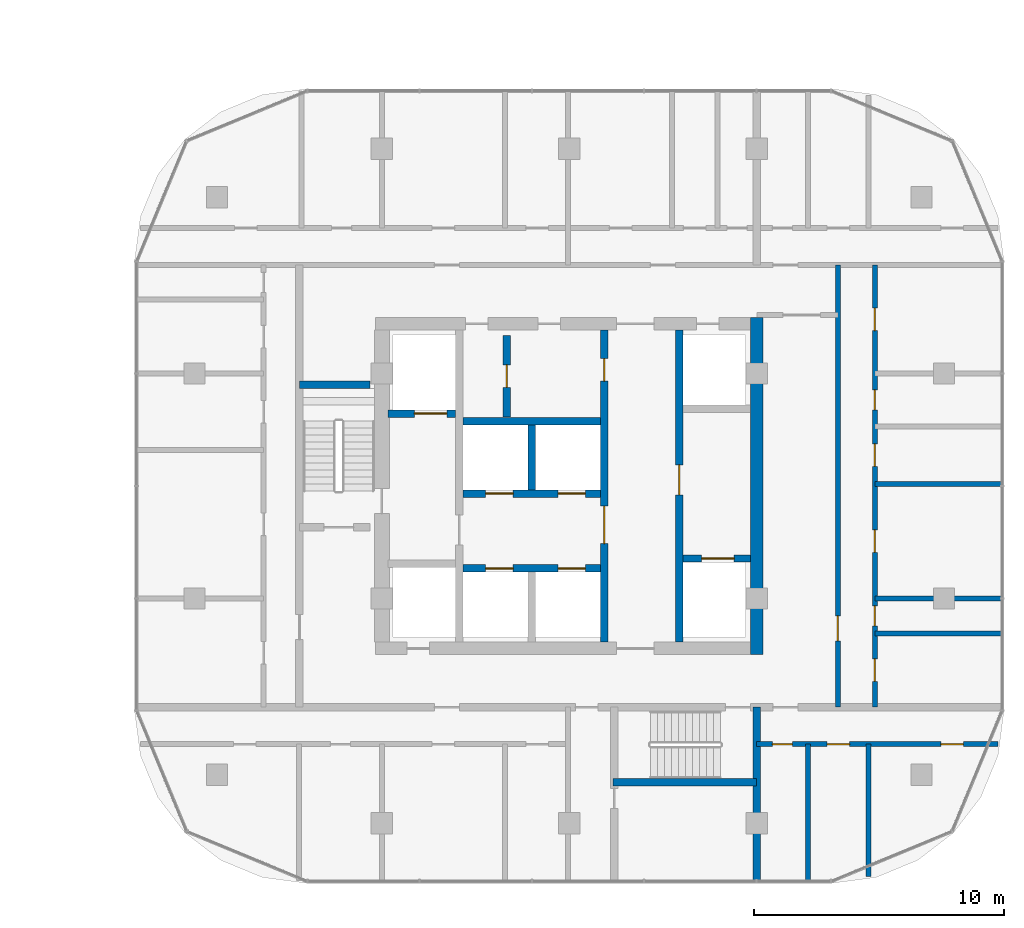
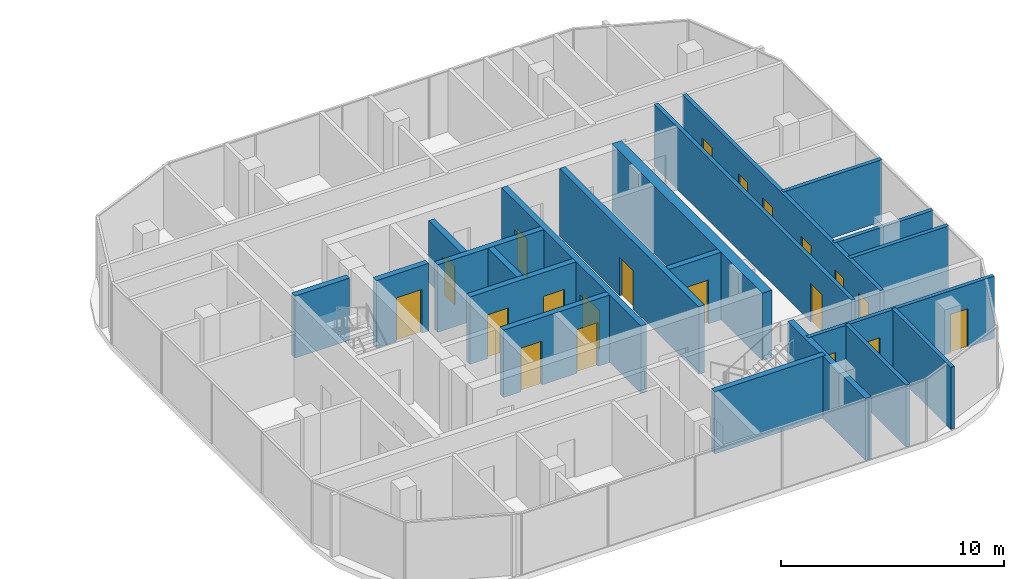
# One storey, part 23 of 34: 21 walls, 20 doors, 20 openings.
"""IFC4 building model written with IfcOpenShell, lengths in metres."""

from ifc_helpers import new_model, si_unit, direction, frame, frame_2d, origin, place, context, subcontext, project, spatial, rectangle, extrude, material, layer, layer_set, type_object, element, fill, save


model = new_model("IFC4")

# Units and contexts
model_context = context("Model", 3, precision=1e-05, world=origin(), true_north=direction((0.0, 1.0)))
body_context = subcontext(model_context, "Body", "Model", "MODEL_VIEW")
ifc_project = project(units=[si_unit("LENGTHUNIT", "METRE"), si_unit("AREAUNIT", "SQUARE_METRE"), si_unit("VOLUMEUNIT", "CUBIC_METRE"), si_unit("PLANEANGLEUNIT", "RADIAN"), si_unit("MASSUNIT", "GRAM", prefix="KILO")], contexts=[model_context])

# Site, building, storey
site_placement = place(None, origin())
site = spatial("IfcSite", under=ifc_project, at=site_placement, CompositionType="ELEMENT")
building_placement = place(site_placement, origin())
building = spatial("IfcBuilding", under=site, at=building_placement, Name="Ogive Portal Towers", CompositionType="ELEMENT")
storey_placement = place(building_placement, frame((0.0, 0.0, 66.800048828125)))
storey = spatial("IfcBuildingStorey", under=building, at=storey_placement, Name="L15", CompositionType="ELEMENT", Elevation=66.800048828125)

# Wall, openings, doors
ifc_material_1 = material(Name="Concrete C60/75", Category="concrete")
ifc_layer_1 = layer(ifc_material_1, 0.300048828125)
ifc_layer_set_1 = layer_set([ifc_layer_1], Name="CORE WALL 300 C60")
wall_type_1 = type_object("IfcWallType", Name="CORE WALL 300 C60", PredefinedType="SHEAR", material=ifc_layer_set_1)
wall_1_placement = place(storey_placement, frame((137.89990234375, 24.75, 0.0), z_axis=(0.0, 0.0, 1.0), x_axis=(0.0, 1.0, 0.0)))
wall_1 = element("IfcWall", 1, at=wall_1_placement, inside=storey, type_object=wall_type_1, Name="Tower B core wall BX2 L15", PredefinedType="SHEAR", context=body_context, shape_type="SweptSolid", body=[
    extrude(rectangle(XDim=12.5, YDim=0.300048828125, at=frame_2d((6.25, 0.0))), origin(), (0.0, 0.0, 1.0), 3.699951171875),
])
opening_1_placement = place(wall_1_placement, frame((3.949951171875, 0.0, 0.0)))
opening_1 = element("IfcOpeningElement", 2, at=opening_1_placement, cuts=wall_1, Name="Opening B04-042", PredefinedType="OPENING", context=body_context, shape_type="SweptSolid", body=[
    extrude(rectangle(XDim=1.5, YDim=2.10009765625, at=frame_2d((0.75, 1.050048828125))), frame((0.0, 0.16015625, 0.0), z_axis=(0.0, -1.0, 0.0), x_axis=(1.0, 0.0, 0.0)), (0.0, 0.0, 1.0), 0.320068359375),
])
opening_2_placement = place(wall_1_placement, frame((10.449951171875, 0.0, 0.0)))
opening_2 = element("IfcOpeningElement", 3, at=opening_2_placement, cuts=wall_1, Name="Opening B04-058", PredefinedType="OPENING", context=body_context, shape_type="SweptSolid", body=[
    extrude(rectangle(XDim=0.89990234375, YDim=2.10009765625, at=frame_2d((0.449951171875, 1.050048828125))), frame((0.0, 0.16015625, 0.0), z_axis=(0.0, -1.0, 0.0), x_axis=(1.0, 0.0, 0.0)), (0.0, 0.0, 1.0), 0.320068359375),
])
ifc_material_2 = material(Name="Steel fire door", Category="steel")
door_type_1 = type_object("IfcDoorType", Name="DT-SWING-1500x2100-FD90S", OperationType="SINGLE_SWING_LEFT", PredefinedType="DOOR", material=ifc_material_2)
door_1_placement = place(opening_1_placement, origin())
door_1 = element("IfcDoor", 4, at=door_1_placement, inside=storey, type_object=door_type_1, Name="Door B04-042", OperationType="SINGLE_SWING_RIGHT", OverallHeight=2.10009765625, OverallWidth=1.5, PredefinedType="DOOR", context=body_context, shape_type="SweptSolid", body=[
    extrude(rectangle(XDim=1.5, YDim=2.10009765625, at=frame_2d((0.75, 1.050048828125))), frame((0.0, 0.02490234375, 0.0), z_axis=(0.0, -1.0, 0.0), x_axis=(1.0, 0.0, 0.0)), (0.0, 0.0, 1.0), 0.050048828125),
])
fill(opening_1, door_1)
door_type_2 = type_object("IfcDoorType", Name="DT-SWING-900x2100-FD90S", OperationType="SINGLE_SWING_LEFT", PredefinedType="DOOR", material=ifc_material_2)
door_2_placement = place(opening_2_placement, origin())
door_2 = element("IfcDoor", 5, at=door_2_placement, inside=storey, type_object=door_type_2, Name="Door B04-058", OperationType="SINGLE_SWING_RIGHT", OverallHeight=2.10009765625, OverallWidth=0.89990234375, PredefinedType="DOOR", context=body_context, shape_type="SweptSolid", body=[
    extrude(rectangle(XDim=0.89990234375, YDim=2.10009765625, at=frame_2d((0.449951171875, 1.050048828125))), frame((0.0, 0.02490234375, 0.0), z_axis=(0.0, -1.0, 0.0), x_axis=(1.0, 0.0, 0.0)), (0.0, 0.0, 1.0), 0.050048828125),
])
fill(opening_2, door_2)

# Wall, opening, door
wall_2_placement = place(storey_placement, frame((140.89990234375, 24.75, 0.0), z_axis=(0.0, 0.0, 1.0), x_axis=(0.0, 1.0, 0.0)))
wall_2 = element("IfcWall", 6, at=wall_2_placement, inside=storey, type_object=wall_type_1, Name="Tower B core wall BX3 L15", PredefinedType="SHEAR", context=body_context, shape_type="SweptSolid", body=[
    extrude(rectangle(XDim=12.5, YDim=0.300048828125, at=frame_2d((6.25, 0.0))), origin(), (0.0, 0.0, 1.0), 3.699951171875),
])
opening_3_placement = place(wall_2_placement, frame((5.89990234375, 0.0, 0.0)))
opening_3 = element("IfcOpeningElement", 7, at=opening_3_placement, cuts=wall_2, Name="Opening B04-044", PredefinedType="OPENING", context=body_context, shape_type="SweptSolid", body=[
    extrude(rectangle(XDim=1.199951171875, YDim=2.10009765625, at=frame_2d((0.60009765625, 1.050048828125))), frame((0.0, 0.16015625, 0.0), z_axis=(0.0, -1.0, 0.0), x_axis=(1.0, 0.0, 0.0)), (0.0, 0.0, 1.0), 0.320068359375),
])
door_type_3 = type_object("IfcDoorType", Name="DT-SWING-1200x2100-FD90S", OperationType="SINGLE_SWING_LEFT", PredefinedType="DOOR", material=ifc_material_2)
door_3_placement = place(opening_3_placement, origin())
door_3 = element("IfcDoor", 8, at=door_3_placement, inside=storey, type_object=door_type_3, Name="Door B04-044", OperationType="SINGLE_SWING_RIGHT", OverallHeight=2.10009765625, OverallWidth=1.199951171875, PredefinedType="DOOR", context=body_context, shape_type="SweptSolid", body=[
    extrude(rectangle(XDim=1.199951171875, YDim=2.10009765625, at=frame_2d((0.60009765625, 1.050048828125))), frame((0.0, 0.02490234375, 0.0), z_axis=(0.0, -1.0, 0.0), x_axis=(1.0, 0.0, 0.0)), (0.0, 0.0, 1.0), 0.050048828125),
])
fill(opening_3, door_3)

# Wall
wall_3_placement = place(storey_placement, frame((135.0, 30.85009765625, 0.0), z_axis=(0.0, 0.0, 1.0), x_axis=(0.0, 1.0, 0.0)))
element("IfcWall", 9, at=wall_3_placement, inside=storey, type_object=wall_type_1, Name="Tower B core wall BX5 L15", PredefinedType="SHEAR", context=body_context, shape_type="SweptSolid", body=[
    extrude(rectangle(XDim=2.599853515625, YDim=0.300048828125, at=frame_2d((1.2998046875, 0.0))), origin(), (0.0, 0.0, 1.0), 3.699951171875),
])

# Wall, openings, doors
wall_4_placement = place(storey_placement, frame((132.25, 27.699951171875, 0.0), z_axis=(0.0, 0.0, 1.0), x_axis=(1.0, 0.0, 0.0)))
wall_4 = element("IfcWall", 10, at=wall_4_placement, inside=storey, type_object=wall_type_1, Name="Tower B core wall BY1 L15", PredefinedType="SHEAR", context=body_context, shape_type="SweptSolid", body=[
    extrude(rectangle(XDim=5.5, YDim=0.300048828125, at=frame_2d((2.75, 0.0))), origin(), (0.0, 0.0, 1.0), 3.699951171875),
])
opening_4_placement = place(wall_4_placement, frame((0.89990234375, 0.0, 0.0)))
opening_4 = element("IfcOpeningElement", 11, at=opening_4_placement, cuts=wall_4, Name="Opening B04-050", PredefinedType="OPENING", context=body_context, shape_type="SweptSolid", body=[
    extrude(rectangle(XDim=1.10009765625, YDim=2.39990234375, at=frame_2d((0.550048828125, 1.199951171875))), frame((0.0, 0.16015625, 0.0), z_axis=(0.0, -1.0, 0.0), x_axis=(1.0, 0.0, 0.0)), (0.0, 0.0, 1.0), 0.320068359375),
])
opening_5_placement = place(wall_4_placement, frame((3.800048828125, 0.0, 0.0)))
opening_5 = element("IfcOpeningElement", 12, at=opening_5_placement, cuts=wall_4, Name="Opening B04-051", PredefinedType="OPENING", context=body_context, shape_type="SweptSolid", body=[
    extrude(rectangle(XDim=1.10009765625, YDim=2.39990234375, at=frame_2d((0.550048828125, 1.199951171875))), frame((0.0, 0.16015625, 0.0), z_axis=(0.0, -1.0, 0.0), x_axis=(1.0, 0.0, 0.0)), (0.0, 0.0, 1.0), 0.320068359375),
])
ifc_material_3 = material(Name="Stainless steel", Category="steel")
door_type_4 = type_object("IfcDoorType", Name="DT-LD-1100x2400", OperationType="SLIDING_TO_LEFT", PredefinedType="DOOR", material=ifc_material_3)
door_4_placement = place(opening_4_placement, origin())
door_4 = element("IfcDoor", 13, at=door_4_placement, inside=storey, type_object=door_type_4, Name="Door B04-050", OperationType="SLIDING_TO_LEFT", OverallHeight=2.39990234375, OverallWidth=1.10009765625, PredefinedType="DOOR", context=body_context, shape_type="SweptSolid", body=[
    extrude(rectangle(XDim=1.10009765625, YDim=2.39990234375, at=frame_2d((0.550048828125, 1.199951171875))), frame((0.0, 0.02490234375, 0.0), z_axis=(0.0, -1.0, 0.0), x_axis=(1.0, 0.0, 0.0)), (0.0, 0.0, 1.0), 0.050048828125),
])
fill(opening_4, door_4)
door_5_placement = place(opening_5_placement, origin())
door_5 = element("IfcDoor", 14, at=door_5_placement, inside=storey, type_object=door_type_4, Name="Door B04-051", OperationType="SLIDING_TO_LEFT", OverallHeight=2.39990234375, OverallWidth=1.10009765625, PredefinedType="DOOR", context=body_context, shape_type="SweptSolid", body=[
    extrude(rectangle(XDim=1.10009765625, YDim=2.39990234375, at=frame_2d((0.550048828125, 1.199951171875))), frame((0.0, 0.02490234375, 0.0), z_axis=(0.0, -1.0, 0.0), x_axis=(1.0, 0.0, 0.0)), (0.0, 0.0, 1.0), 0.050048828125),
])
fill(opening_5, door_5)

wall_5_placement = place(storey_placement, frame((132.25, 30.699951171875, 0.0), z_axis=(0.0, 0.0, 1.0), x_axis=(1.0, 0.0, 0.0)))
wall_5 = element("IfcWall", 15, at=wall_5_placement, inside=storey, type_object=wall_type_1, Name="Tower B core wall BY2 L15", PredefinedType="SHEAR", context=body_context, shape_type="SweptSolid", body=[
    extrude(rectangle(XDim=5.5, YDim=0.300048828125, at=frame_2d((2.75, 0.0))), origin(), (0.0, 0.0, 1.0), 3.699951171875),
])
opening_6_placement = place(wall_5_placement, frame((0.89990234375, 0.0, 0.0)))
opening_6 = element("IfcOpeningElement", 16, at=opening_6_placement, cuts=wall_5, Name="Opening B04-052", PredefinedType="OPENING", context=body_context, shape_type="SweptSolid", body=[
    extrude(rectangle(XDim=1.10009765625, YDim=2.39990234375, at=frame_2d((0.550048828125, 1.199951171875))), frame((0.0, 0.16015625, 0.0), z_axis=(0.0, -1.0, 0.0), x_axis=(1.0, 0.0, 0.0)), (0.0, 0.0, 1.0), 0.320068359375),
])
opening_7_placement = place(wall_5_placement, frame((3.800048828125, 0.0, 0.0)))
opening_7 = element("IfcOpeningElement", 17, at=opening_7_placement, cuts=wall_5, Name="Opening B04-053", PredefinedType="OPENING", context=body_context, shape_type="SweptSolid", body=[
    extrude(rectangle(XDim=1.10009765625, YDim=2.39990234375, at=frame_2d((0.550048828125, 1.199951171875))), frame((0.0, 0.16015625, 0.0), z_axis=(0.0, -1.0, 0.0), x_axis=(1.0, 0.0, 0.0)), (0.0, 0.0, 1.0), 0.320068359375),
])
door_6_placement = place(opening_6_placement, origin())
door_6 = element("IfcDoor", 18, at=door_6_placement, inside=storey, type_object=door_type_4, Name="Door B04-052", OperationType="SLIDING_TO_LEFT", OverallHeight=2.39990234375, OverallWidth=1.10009765625, PredefinedType="DOOR", context=body_context, shape_type="SweptSolid", body=[
    extrude(rectangle(XDim=1.10009765625, YDim=2.39990234375, at=frame_2d((0.550048828125, 1.199951171875))), frame((0.0, 0.02490234375, 0.0), z_axis=(0.0, -1.0, 0.0), x_axis=(1.0, 0.0, 0.0)), (0.0, 0.0, 1.0), 0.050048828125),
])
fill(opening_6, door_6)
door_7_placement = place(opening_7_placement, origin())
door_7 = element("IfcDoor", 19, at=door_7_placement, inside=storey, type_object=door_type_4, Name="Door B04-053", OperationType="SLIDING_TO_LEFT", OverallHeight=2.39990234375, OverallWidth=1.10009765625, PredefinedType="DOOR", context=body_context, shape_type="SweptSolid", body=[
    extrude(rectangle(XDim=1.10009765625, YDim=2.39990234375, at=frame_2d((0.550048828125, 1.199951171875))), frame((0.0, 0.02490234375, 0.0), z_axis=(0.0, -1.0, 0.0), x_axis=(1.0, 0.0, 0.0)), (0.0, 0.0, 1.0), 0.050048828125),
])
fill(opening_7, door_7)

# Wall
wall_6_placement = place(storey_placement, frame((132.25, 33.60009765625, 0.0), z_axis=(0.0, 0.0, 1.0), x_axis=(1.0, 0.0, 0.0)))
element("IfcWall", 20, at=wall_6_placement, inside=storey, type_object=wall_type_1, Name="Tower B core wall BY3 L15", PredefinedType="SHEAR", context=body_context, shape_type="SweptSolid", body=[
    extrude(rectangle(XDim=5.5, YDim=0.300048828125, at=frame_2d((2.75, 0.0))), origin(), (0.0, 0.0, 1.0), 3.699951171875),
])

# Wall, opening, door
wall_7_placement = place(storey_placement, frame((129.25, 33.89990234375, 0.0), z_axis=(0.0, 0.0, 1.0), x_axis=(1.0, 0.0, 0.0)))
wall_7 = element("IfcWall", 21, at=wall_7_placement, inside=storey, type_object=wall_type_1, Name="Tower B core wall BY5 L15", PredefinedType="SHEAR", context=body_context, shape_type="SweptSolid", body=[
    extrude(rectangle(XDim=2.699951171875, YDim=0.300048828125, at=frame_2d((1.35009765625, 0.0))), origin(), (0.0, 0.0, 1.0), 3.699951171875),
])
opening_8_placement = place(wall_7_placement, frame((1.050048828125, 0.0, 0.0)))
opening_8 = element("IfcOpeningElement", 22, at=opening_8_placement, cuts=wall_7, Name="Opening B04-054", PredefinedType="OPENING", context=body_context, shape_type="SweptSolid", body=[
    extrude(rectangle(XDim=1.300048828125, YDim=2.39990234375, at=frame_2d((0.64990234375, 1.199951171875))), frame((0.0, 0.16015625, 0.0), z_axis=(0.0, -1.0, 0.0), x_axis=(1.0, 0.0, 0.0)), (0.0, 0.0, 1.0), 0.320068359375),
])
door_type_5 = type_object("IfcDoorType", Name="DT-LD-1300x2400", OperationType="SLIDING_TO_LEFT", PredefinedType="DOOR", material=ifc_material_3)
door_8_placement = place(opening_8_placement, origin())
door_8 = element("IfcDoor", 23, at=door_8_placement, inside=storey, type_object=door_type_5, Name="Door B04-054", OperationType="SLIDING_TO_LEFT", OverallHeight=2.39990234375, OverallWidth=1.300048828125, PredefinedType="DOOR", context=body_context, shape_type="SweptSolid", body=[
    extrude(rectangle(XDim=1.300048828125, YDim=2.39990234375, at=frame_2d((0.64990234375, 1.199951171875))), frame((0.0, 0.02490234375, 0.0), z_axis=(0.0, -1.0, 0.0), x_axis=(1.0, 0.0, 0.0)), (0.0, 0.0, 1.0), 0.050048828125),
])
fill(opening_8, door_8)

wall_8_placement = place(storey_placement, frame((141.050048828125, 28.10009765625, 0.0), z_axis=(0.0, 0.0, 1.0), x_axis=(1.0, 0.0, 0.0)))
wall_8 = element("IfcWall", 24, at=wall_8_placement, inside=storey, type_object=wall_type_1, Name="Tower B core wall BY6 L15", PredefinedType="SHEAR", context=body_context, shape_type="SweptSolid", body=[
    extrude(rectangle(XDim=2.699951171875, YDim=0.300048828125, at=frame_2d((1.35009765625, 0.0))), origin(), (0.0, 0.0, 1.0), 3.699951171875),
])
opening_9_placement = place(wall_8_placement, frame((0.75, 0.0, 0.0)))
opening_9 = element("IfcOpeningElement", 25, at=opening_9_placement, cuts=wall_8, Name="Opening B04-055", PredefinedType="OPENING", context=body_context, shape_type="SweptSolid", body=[
    extrude(rectangle(XDim=1.300048828125, YDim=2.39990234375, at=frame_2d((0.64990234375, 1.199951171875))), frame((0.0, 0.16015625, 0.0), z_axis=(0.0, -1.0, 0.0), x_axis=(1.0, 0.0, 0.0)), (0.0, 0.0, 1.0), 0.320068359375),
])
door_9_placement = place(opening_9_placement, origin())
door_9 = element("IfcDoor", 26, at=door_9_placement, inside=storey, type_object=door_type_5, Name="Door B04-055", OperationType="SLIDING_TO_LEFT", OverallHeight=2.39990234375, OverallWidth=1.300048828125, PredefinedType="DOOR", context=body_context, shape_type="SweptSolid", body=[
    extrude(rectangle(XDim=1.300048828125, YDim=2.39990234375, at=frame_2d((0.64990234375, 1.199951171875))), frame((0.0, 0.02490234375, 0.0), z_axis=(0.0, -1.0, 0.0), x_axis=(1.0, 0.0, 0.0)), (0.0, 0.0, 1.0), 0.050048828125),
])
fill(opening_9, door_9)

# Walls
ifc_layer_2 = layer(ifc_material_1, 0.5)
ifc_layer_set_2 = layer_set([ifc_layer_2], Name="CORE WALL 500 C60")
wall_type_2 = type_object("IfcWallType", Name="CORE WALL 500 C60", PredefinedType="SHEAR", material=ifc_layer_set_2)
wall_9_placement = place(storey_placement, frame((144.0, 24.25, 0.0), z_axis=(0.0, 0.0, 1.0), x_axis=(0.0, 1.0, 0.0)))
element("IfcWall", 27, at=wall_9_placement, inside=storey, type_object=wall_type_2, Name="Tower B core wall BE L15", PredefinedType="SHEAR", context=body_context, shape_type="SweptSolid", body=[
    extrude(rectangle(XDim=13.5, YDim=0.5, at=frame_2d((6.75, 0.0))), origin(), (0.0, 0.0, 1.0), 3.699951171875),
])
ifc_material_4 = material(Name="Concrete C50/60", Category="concrete")
ifc_layer_3 = layer(ifc_material_4, 0.300048828125)
ifc_layer_set_3 = layer_set([ifc_layer_3], Name="STAIR WALL 300 C50")
wall_type_3 = type_object("IfcWallType", Name="STAIR WALL 300 C50", PredefinedType="SHEAR", material=ifc_layer_set_3)
wall_10_placement = place(storey_placement, frame((138.25, 19.14990234375, 0.0), z_axis=(0.0, 0.0, 1.0), x_axis=(1.0, 0.0, 0.0)))
element("IfcWall", 28, at=wall_10_placement, inside=storey, type_object=wall_type_3, Name="Stair wall ST-B2 L15", PredefinedType="SHEAR", context=body_context, shape_type="SweptSolid", body=[
    extrude(rectangle(XDim=5.75, YDim=0.300048828125, at=frame_2d((2.875, 0.0))), origin(), (0.0, 0.0, 1.0), 3.39990234375),
])
wall_11_placement = place(storey_placement, frame((125.699951171875, 35.050048828125, 0.0), z_axis=(0.0, 0.0, 1.0), x_axis=(1.0, 0.0, 0.0)))
element("IfcWall", 29, at=wall_11_placement, inside=storey, type_object=wall_type_3, Name="Stair wall ST-B1 L15", PredefinedType="SHEAR", context=body_context, shape_type="SweptSolid", body=[
    extrude(rectangle(XDim=2.830078125, YDim=0.300048828125, at=frame_2d((1.4150390625, 0.0))), origin(), (0.0, 0.0, 1.0), 3.39990234375),
])
wall_12_placement = place(storey_placement, frame((144.0, 15.169921875, 0.0), z_axis=(0.0, 0.0, 1.0), x_axis=(0.0, 1.0, 0.0)))
element("IfcWall", 30, at=wall_12_placement, inside=storey, type_object=wall_type_3, Name="Stair wall ST-B2 L15", PredefinedType="SHEAR", context=body_context, shape_type="SweptSolid", body=[
    extrude(rectangle(XDim=6.97998046875, YDim=0.300048828125, at=frame_2d((3.489990234375, 0.0))), origin(), (0.0, 0.0, 1.0), 3.39990234375),
])

# Wall, openings, doors
ifc_material_5 = material(Name="Gypsum board partition on steel studs", Category="steel")
ifc_layer_4 = layer(ifc_material_5, 0.199951171875)
ifc_layer_set_4 = layer_set([ifc_layer_4], Name="WT-PART-200-EI 60")
wall_type_4 = type_object("IfcWallType", Name="WT-PART-200-EI 60", PredefinedType="PARTITIONING", material=ifc_layer_set_4)
wall_13_placement = place(storey_placement, frame((144.0, 20.669921875, 0.0), z_axis=(0.0, 0.0, 1.0), x_axis=(1.0, 0.0, 0.0)))
wall_13 = element("IfcWall", 31, at=wall_13_placement, inside=storey, type_object=wall_type_4, Name="Wall L15:w003", PredefinedType="PARTITIONING", context=body_context, shape_type="SweptSolid", body=[
    extrude(rectangle(XDim=9.654052734375, YDim=0.199951171875, at=frame_2d((4.8271484375, 0.0))), origin(), (0.0, 0.0, 1.0), 3.39990234375),
])
opening_10_placement = place(wall_13_placement, frame((0.6279296875, 0.0, 0.0)))
opening_10 = element("IfcOpeningElement", 32, at=opening_10_placement, cuts=wall_13, Name="Opening B04-024", PredefinedType="OPENING", context=body_context, shape_type="SweptSolid", body=[
    extrude(rectangle(XDim=0.800048828125, YDim=2.10009765625, at=frame_2d((0.39990234375, 1.050048828125))), frame((0.0, 0.10986328125, 0.0), z_axis=(0.0, -1.0, 0.0), x_axis=(1.0, 0.0, 0.0)), (0.0, 0.0, 1.0), 0.219970703125),
])
opening_11_placement = place(wall_13_placement, frame((2.818115234375, 0.0, 0.0)))
opening_11 = element("IfcOpeningElement", 33, at=opening_11_placement, cuts=wall_13, Name="Opening B04-025", PredefinedType="OPENING", context=body_context, shape_type="SweptSolid", body=[
    extrude(rectangle(XDim=0.89990234375, YDim=2.10009765625, at=frame_2d((0.449951171875, 1.050048828125))), frame((0.0, 0.10986328125, 0.0), z_axis=(0.0, -1.0, 0.0), x_axis=(1.0, 0.0, 0.0)), (0.0, 0.0, 1.0), 0.219970703125),
])
opening_12_placement = place(wall_13_placement, frame((7.37109375, 0.0, 0.0)))
opening_12 = element("IfcOpeningElement", 34, at=opening_12_placement, cuts=wall_13, Name="Opening B04-026", PredefinedType="OPENING", context=body_context, shape_type="SweptSolid", body=[
    extrude(rectangle(XDim=0.89990234375, YDim=2.10009765625, at=frame_2d((0.449951171875, 1.050048828125))), frame((0.0, 0.10986328125, 0.0), z_axis=(0.0, -1.0, 0.0), x_axis=(1.0, 0.0, 0.0)), (0.0, 0.0, 1.0), 0.219970703125),
])
door_type_6 = type_object("IfcDoorType", Name="DT-SWING-800x2100-FD60S", OperationType="SINGLE_SWING_LEFT", PredefinedType="DOOR", material=ifc_material_2)
door_10_placement = place(opening_10_placement, origin())
door_10 = element("IfcDoor", 35, at=door_10_placement, inside=storey, type_object=door_type_6, Name="Door B04-024", OperationType="SINGLE_SWING_RIGHT", OverallHeight=2.10009765625, OverallWidth=0.800048828125, PredefinedType="DOOR", context=body_context, shape_type="SweptSolid", body=[
    extrude(rectangle(XDim=0.800048828125, YDim=2.10009765625, at=frame_2d((0.39990234375, 1.050048828125))), frame((0.0, 0.02490234375, 0.0), z_axis=(0.0, -1.0, 0.0), x_axis=(1.0, 0.0, 0.0)), (0.0, 0.0, 1.0), 0.050048828125),
])
fill(opening_10, door_10)
door_type_7 = type_object("IfcDoorType", Name="DT-SWING-900x2100-FD60S", OperationType="SINGLE_SWING_LEFT", PredefinedType="DOOR", material=ifc_material_2)
door_11_placement = place(opening_11_placement, origin())
door_11 = element("IfcDoor", 36, at=door_11_placement, inside=storey, type_object=door_type_7, Name="Door B04-025", OperationType="SINGLE_SWING_LEFT", OverallHeight=2.10009765625, OverallWidth=0.89990234375, PredefinedType="DOOR", context=body_context, shape_type="SweptSolid", body=[
    extrude(rectangle(XDim=0.89990234375, YDim=2.10009765625, at=frame_2d((0.449951171875, 1.050048828125))), frame((0.0, 0.02490234375, 0.0), z_axis=(0.0, -1.0, 0.0), x_axis=(1.0, 0.0, 0.0)), (0.0, 0.0, 1.0), 0.050048828125),
])
fill(opening_11, door_11)
door_12_placement = place(opening_12_placement, origin())
door_12 = element("IfcDoor", 37, at=door_12_placement, inside=storey, type_object=door_type_7, Name="Door B04-026", OperationType="SINGLE_SWING_RIGHT", OverallHeight=2.10009765625, OverallWidth=0.89990234375, PredefinedType="DOOR", context=body_context, shape_type="SweptSolid", body=[
    extrude(rectangle(XDim=0.89990234375, YDim=2.10009765625, at=frame_2d((0.449951171875, 1.050048828125))), frame((0.0, 0.02490234375, 0.0), z_axis=(0.0, -1.0, 0.0), x_axis=(1.0, 0.0, 0.0)), (0.0, 0.0, 1.0), 0.050048828125),
])
fill(opening_12, door_12)

# Walls
for number, where, z_axis, x_axis, name in (
    (38, (148.72998046875, 25.10595703125, 0.0), (0.0, 0.0, 1.0), (1.0, 0.0, 0.0), "Wall L15:w007"),
    (39, (148.72998046875, 26.5, 0.0), (0.0, 0.0, 1.0), (1.0, 0.0, 0.0), "Wall L15:w009"),
    (40, (148.72998046875, 31.091064453125, 0.0), (0.0, 0.0, 1.0), (1.0, 0.0, 0.0), "Wall L15:w011"),
):
    element("IfcWall", number, at=place(storey_placement, frame(where, z_axis=z_axis, x_axis=x_axis)), inside=storey, type_object=wall_type_4, Name=name, PredefinedType="PARTITIONING", context=body_context, shape_type="SweptSolid", body=[
        extrude(rectangle(XDim=5.10009765625, YDim=0.199951171875, at=frame_2d((2.550048828125, 0.0))), origin(), (0.0, 0.0, 1.0), 3.39990234375),
    ])
wall_14_placement = place(storey_placement, frame((146.054931640625, 15.169921875, 0.0), z_axis=(0.0, 0.0, 1.0), x_axis=(0.0, 1.0, 0.0)))
element("IfcWall", 41, at=wall_14_placement, inside=storey, type_object=wall_type_4, Name="Wall L15:w042", PredefinedType="PARTITIONING", context=body_context, shape_type="SweptSolid", body=[
    extrude(rectangle(XDim=5.5, YDim=0.199951171875, at=frame_2d((2.75, 0.0))), origin(), (0.0, 0.0, 1.0), 3.39990234375),
])

# Wall, opening, door
wall_15_placement = place(storey_placement, frame((147.25, 22.14990234375, 0.0), z_axis=(0.0, 0.0, 1.0), x_axis=(0.0, 1.0, 0.0)))
wall_15 = element("IfcWall", 42, at=wall_15_placement, inside=storey, type_object=wall_type_4, Name="Wall L15:w044", PredefinedType="PARTITIONING", context=body_context, shape_type="SweptSolid", body=[
    extrude(rectangle(XDim=17.7001953125, YDim=0.199951171875, at=frame_2d((8.85009765625, 0.0))), origin(), (0.0, 0.0, 1.0), 3.39990234375),
])
opening_13_placement = place(wall_15_placement, frame((2.64990234375, 0.0, 0.0)))
opening_13 = element("IfcOpeningElement", 43, at=opening_13_placement, cuts=wall_15, Name="Opening B04-035", PredefinedType="OPENING", context=body_context, shape_type="SweptSolid", body=[
    extrude(rectangle(XDim=1.0, YDim=2.10009765625, at=frame_2d((0.5, 1.050048828125))), frame((0.0, 0.10986328125, 0.0), z_axis=(0.0, -1.0, 0.0), x_axis=(1.0, 0.0, 0.0)), (0.0, 0.0, 1.0), 0.219970703125),
])
door_type_8 = type_object("IfcDoorType", Name="DT-SWING-1000x2100-FD60S", OperationType="SINGLE_SWING_LEFT", PredefinedType="DOOR", material=ifc_material_2)
door_13_placement = place(opening_13_placement, origin())
door_13 = element("IfcDoor", 44, at=door_13_placement, inside=storey, type_object=door_type_8, Name="Door B04-035", OperationType="SINGLE_SWING_LEFT", OverallHeight=2.10009765625, OverallWidth=1.0, PredefinedType="DOOR", context=body_context, shape_type="SweptSolid", body=[
    extrude(rectangle(XDim=1.0, YDim=2.10009765625, at=frame_2d((0.5, 1.050048828125))), frame((0.0, 0.02490234375, 0.0), z_axis=(0.0, -1.0, 0.0), x_axis=(1.0, 0.0, 0.0)), (0.0, 0.0, 1.0), 0.050048828125),
])
fill(opening_13, door_13)

# Wall
wall_16_placement = place(storey_placement, frame((148.48193359375, 15.365966796875, 0.0), z_axis=(0.0, 0.0, 1.0), x_axis=(0.0, 1.0, 0.0)))
element("IfcWall", 45, at=wall_16_placement, inside=storey, type_object=wall_type_4, Name="Wall L15:w045", PredefinedType="PARTITIONING", context=body_context, shape_type="SweptSolid", body=[
    extrude(rectangle(XDim=5.303955078125, YDim=0.199951171875, at=frame_2d((2.65185546875, 0.0))), origin(), (0.0, 0.0, 1.0), 3.39990234375),
])

# Wall, openings, doors
wall_17_placement = place(storey_placement, frame((148.72998046875, 22.14990234375, 0.0), z_axis=(0.0, 0.0, 1.0), x_axis=(0.0, 1.0, 0.0)))
wall_17 = element("IfcWall", 46, at=wall_17_placement, inside=storey, type_object=wall_type_4, Name="Wall L15:w047", PredefinedType="PARTITIONING", context=body_context, shape_type="SweptSolid", body=[
    extrude(rectangle(XDim=17.7001953125, YDim=0.199951171875, at=frame_2d((8.85009765625, 0.0))), origin(), (0.0, 0.0, 1.0), 3.39990234375),
])
opening_14_placement = place(wall_17_placement, frame((1.028076171875, 0.0, 0.0)))
opening_14 = element("IfcOpeningElement", 47, at=opening_14_placement, cuts=wall_17, Name="Opening B04-036", PredefinedType="OPENING", context=body_context, shape_type="SweptSolid", body=[
    extrude(rectangle(XDim=0.89990234375, YDim=2.10009765625, at=frame_2d((0.449951171875, 1.050048828125))), frame((0.0, 0.10986328125, 0.0), z_axis=(0.0, -1.0, 0.0), x_axis=(1.0, 0.0, 0.0)), (0.0, 0.0, 1.0), 0.219970703125),
])
opening_15_placement = place(wall_17_placement, frame((3.2529296875, 0.0, 0.0)))
opening_15 = element("IfcOpeningElement", 48, at=opening_15_placement, cuts=wall_17, Name="Opening B04-037", PredefinedType="OPENING", context=body_context, shape_type="SweptSolid", body=[
    extrude(rectangle(XDim=0.800048828125, YDim=2.10009765625, at=frame_2d((0.39990234375, 1.050048828125))), frame((0.0, 0.10986328125, 0.0), z_axis=(0.0, -1.0, 0.0), x_axis=(1.0, 0.0, 0.0)), (0.0, 0.0, 1.0), 0.219970703125),
])
opening_16_placement = place(wall_17_placement, frame((6.195068359375, 0.0, 0.0)))
opening_16 = element("IfcOpeningElement", 49, at=opening_16_placement, cuts=wall_17, Name="Opening B04-038", PredefinedType="OPENING", context=body_context, shape_type="SweptSolid", body=[
    extrude(rectangle(XDim=0.89990234375, YDim=2.10009765625, at=frame_2d((0.449951171875, 1.050048828125))), frame((0.0, 0.10986328125, 0.0), z_axis=(0.0, -1.0, 0.0), x_axis=(1.0, 0.0, 0.0)), (0.0, 0.0, 1.0), 0.219970703125),
])
opening_17_placement = place(wall_17_placement, frame((9.64111328125, 0.0, 0.0)))
opening_17 = element("IfcOpeningElement", 50, at=opening_17_placement, cuts=wall_17, Name="Opening B04-039", PredefinedType="OPENING", context=body_context, shape_type="SweptSolid", body=[
    extrude(rectangle(XDim=0.89990234375, YDim=2.10009765625, at=frame_2d((0.449951171875, 1.050048828125))), frame((0.0, 0.10986328125, 0.0), z_axis=(0.0, -1.0, 0.0), x_axis=(1.0, 0.0, 0.0)), (0.0, 0.0, 1.0), 0.219970703125),
])
opening_18_placement = place(wall_17_placement, frame((11.89501953125, 0.0, 0.0)))
opening_18 = element("IfcOpeningElement", 51, at=opening_18_placement, cuts=wall_17, Name="Opening B04-040", PredefinedType="OPENING", context=body_context, shape_type="SweptSolid", body=[
    extrude(rectangle(XDim=0.800048828125, YDim=2.10009765625, at=frame_2d((0.39990234375, 1.050048828125))), frame((0.0, 0.10986328125, 0.0), z_axis=(0.0, -1.0, 0.0), x_axis=(1.0, 0.0, 0.0)), (0.0, 0.0, 1.0), 0.219970703125),
])
opening_19_placement = place(wall_17_placement, frame((15.074951171875, 0.0, 0.0)))
opening_19 = element("IfcOpeningElement", 52, at=opening_19_placement, cuts=wall_17, Name="Opening B04-041", PredefinedType="OPENING", context=body_context, shape_type="SweptSolid", body=[
    extrude(rectangle(XDim=0.89990234375, YDim=2.10009765625, at=frame_2d((0.449951171875, 1.050048828125))), frame((0.0, 0.10986328125, 0.0), z_axis=(0.0, -1.0, 0.0), x_axis=(1.0, 0.0, 0.0)), (0.0, 0.0, 1.0), 0.219970703125),
])
door_14_placement = place(opening_15_placement, origin())
door_14 = element("IfcDoor", 53, at=door_14_placement, inside=storey, type_object=door_type_6, Name="Door B04-037", OperationType="SINGLE_SWING_LEFT", OverallHeight=2.10009765625, OverallWidth=0.800048828125, PredefinedType="DOOR", context=body_context, shape_type="SweptSolid", body=[
    extrude(rectangle(XDim=0.800048828125, YDim=2.10009765625, at=frame_2d((0.39990234375, 1.050048828125))), frame((0.0, 0.02490234375, 0.0), z_axis=(0.0, -1.0, 0.0), x_axis=(1.0, 0.0, 0.0)), (0.0, 0.0, 1.0), 0.050048828125),
])
fill(opening_15, door_14)
door_15_placement = place(opening_18_placement, origin())
door_15 = element("IfcDoor", 54, at=door_15_placement, inside=storey, type_object=door_type_6, Name="Door B04-040", OperationType="SINGLE_SWING_RIGHT", OverallHeight=2.10009765625, OverallWidth=0.800048828125, PredefinedType="DOOR", context=body_context, shape_type="SweptSolid", body=[
    extrude(rectangle(XDim=0.800048828125, YDim=2.10009765625, at=frame_2d((0.39990234375, 1.050048828125))), frame((0.0, 0.02490234375, 0.0), z_axis=(0.0, -1.0, 0.0), x_axis=(1.0, 0.0, 0.0)), (0.0, 0.0, 1.0), 0.050048828125),
])
fill(opening_18, door_15)
door_16_placement = place(opening_14_placement, origin())
door_16 = element("IfcDoor", 55, at=door_16_placement, inside=storey, type_object=door_type_7, Name="Door B04-036", OperationType="SINGLE_SWING_RIGHT", OverallHeight=2.10009765625, OverallWidth=0.89990234375, PredefinedType="DOOR", context=body_context, shape_type="SweptSolid", body=[
    extrude(rectangle(XDim=0.89990234375, YDim=2.10009765625, at=frame_2d((0.449951171875, 1.050048828125))), frame((0.0, 0.02490234375, 0.0), z_axis=(0.0, -1.0, 0.0), x_axis=(1.0, 0.0, 0.0)), (0.0, 0.0, 1.0), 0.050048828125),
])
fill(opening_14, door_16)
door_17_placement = place(opening_16_placement, origin())
door_17 = element("IfcDoor", 56, at=door_17_placement, inside=storey, type_object=door_type_7, Name="Door B04-038", OperationType="SINGLE_SWING_RIGHT", OverallHeight=2.10009765625, OverallWidth=0.89990234375, PredefinedType="DOOR", context=body_context, shape_type="SweptSolid", body=[
    extrude(rectangle(XDim=0.89990234375, YDim=2.10009765625, at=frame_2d((0.449951171875, 1.050048828125))), frame((0.0, 0.02490234375, 0.0), z_axis=(0.0, -1.0, 0.0), x_axis=(1.0, 0.0, 0.0)), (0.0, 0.0, 1.0), 0.050048828125),
])
fill(opening_16, door_17)
door_18_placement = place(opening_17_placement, origin())
door_18 = element("IfcDoor", 57, at=door_18_placement, inside=storey, type_object=door_type_7, Name="Door B04-039", OperationType="SINGLE_SWING_LEFT", OverallHeight=2.10009765625, OverallWidth=0.89990234375, PredefinedType="DOOR", context=body_context, shape_type="SweptSolid", body=[
    extrude(rectangle(XDim=0.89990234375, YDim=2.10009765625, at=frame_2d((0.449951171875, 1.050048828125))), frame((0.0, 0.02490234375, 0.0), z_axis=(0.0, -1.0, 0.0), x_axis=(1.0, 0.0, 0.0)), (0.0, 0.0, 1.0), 0.050048828125),
])
fill(opening_17, door_18)
door_19_placement = place(opening_19_placement, origin())
door_19 = element("IfcDoor", 58, at=door_19_placement, inside=storey, type_object=door_type_7, Name="Door B04-041", OperationType="SINGLE_SWING_LEFT", OverallHeight=2.10009765625, OverallWidth=0.89990234375, PredefinedType="DOOR", context=body_context, shape_type="SweptSolid", body=[
    extrude(rectangle(XDim=0.89990234375, YDim=2.10009765625, at=frame_2d((0.449951171875, 1.050048828125))), frame((0.0, 0.02490234375, 0.0), z_axis=(0.0, -1.0, 0.0), x_axis=(1.0, 0.0, 0.0)), (0.0, 0.0, 1.0), 0.050048828125),
])
fill(opening_19, door_19)

# Wall, opening, door
ifc_layer_5 = layer(ifc_material_5, 0.300048828125)
ifc_layer_set_5 = layer_set([ifc_layer_5], Name="WT-PART-300-EI 60")
wall_type_5 = type_object("IfcWallType", Name="WT-PART-300-EI 60", PredefinedType="PARTITIONING", material=ifc_layer_set_5)
wall_18_placement = place(storey_placement, frame((134.0, 33.77001953125, 0.0), z_axis=(0.0, 0.0, 1.0), x_axis=(0.0, 1.0, 0.0)))
wall_18 = element("IfcWall", 59, at=wall_18_placement, inside=storey, type_object=wall_type_5, Name="Wall L15:w032", PredefinedType="PARTITIONING", context=body_context, shape_type="SweptSolid", body=[
    extrude(rectangle(XDim=3.260009765625, YDim=0.300048828125, at=frame_2d((1.6298828125, 0.0))), origin(), (0.0, 0.0, 1.0), 3.39990234375),
])
opening_20_placement = place(wall_18_placement, frame((1.179931640625, 0.0, 0.0)))
opening_20 = element("IfcOpeningElement", 60, at=opening_20_placement, cuts=wall_18, Name="Opening B04-004", PredefinedType="OPENING", context=body_context, shape_type="SweptSolid", body=[
    extrude(rectangle(XDim=0.89990234375, YDim=2.10009765625, at=frame_2d((0.449951171875, 1.050048828125))), frame((0.0, 0.16015625, 0.0), z_axis=(0.0, -1.0, 0.0), x_axis=(1.0, 0.0, 0.0)), (0.0, 0.0, 1.0), 0.320068359375),
])
door_20_placement = place(opening_20_placement, origin())
door_20 = element("IfcDoor", 61, at=door_20_placement, inside=storey, type_object=door_type_7, Name="Door B04-004", OperationType="SINGLE_SWING_RIGHT", OverallHeight=2.10009765625, OverallWidth=0.89990234375, PredefinedType="DOOR", context=body_context, shape_type="SweptSolid", body=[
    extrude(rectangle(XDim=0.89990234375, YDim=2.10009765625, at=frame_2d((0.449951171875, 1.050048828125))), frame((0.0, 0.02490234375, 0.0), z_axis=(0.0, -1.0, 0.0), x_axis=(1.0, 0.0, 0.0)), (0.0, 0.0, 1.0), 0.050048828125),
])
fill(opening_20, door_20)

save(model, "model.ifc")
